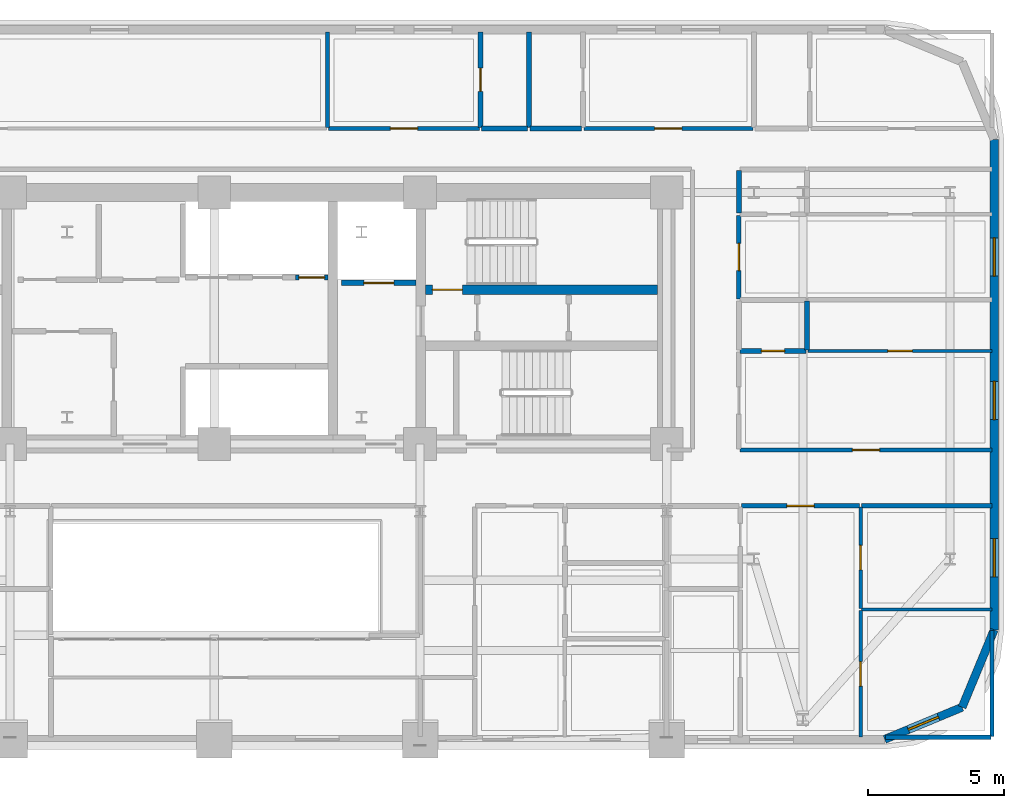
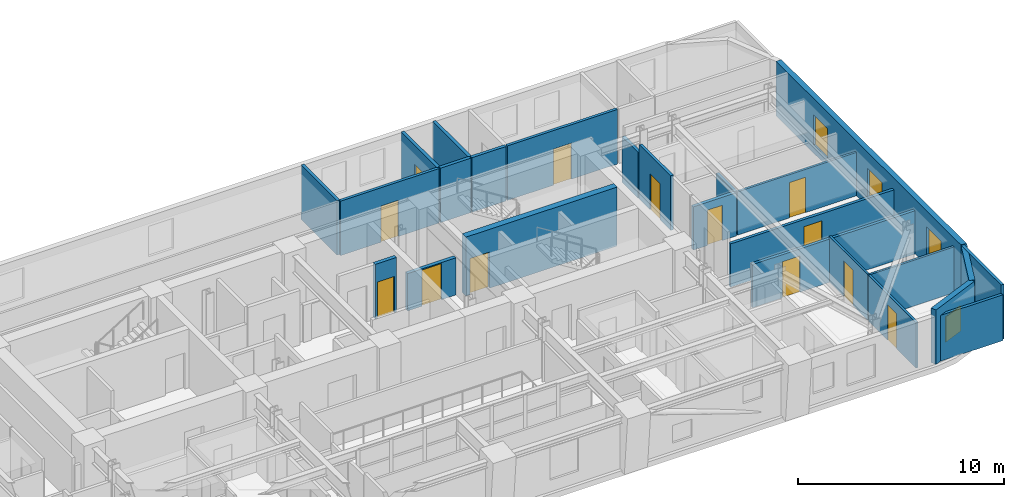
# One storey, part 12 of 16: 26 walls, 13 doors, 4 windows, 17 openings.
"""IFC4 building model written with IfcOpenShell, lengths in metres."""

from ifc_helpers import new_model, si_unit, direction, frame, frame_2d, origin, place, context, subcontext, project, spatial, rectangle, extrude, material, layer, layer_set, type_object, element, fill, save


model = new_model("IFC4")

# Units and contexts
model_context = context("Model", 3, precision=1e-05, world=origin(), true_north=direction((0.0, 1.0)))
body_context = subcontext(model_context, "Body", "Model", "MODEL_VIEW")
ifc_project = project(units=[si_unit("LENGTHUNIT", "METRE"), si_unit("AREAUNIT", "SQUARE_METRE"), si_unit("VOLUMEUNIT", "CUBIC_METRE"), si_unit("PLANEANGLEUNIT", "RADIAN"), si_unit("MASSUNIT", "GRAM", prefix="KILO")], contexts=[model_context])

# Site, building, storey
site_placement = place(None, origin())
site = spatial("IfcSite", under=ifc_project, at=site_placement, CompositionType="ELEMENT")
building_placement = place(site_placement, origin())
building = spatial("IfcBuilding", under=site, at=building_placement, Name="Zarnavel Station Tower", CompositionType="ELEMENT")
storey_placement = place(building_placement, frame((0.0, 0.0, 101.300048828125)))
storey = spatial("IfcBuildingStorey", under=building, at=storey_placement, Name="L27", CompositionType="ELEMENT", Elevation=101.300048828125)

# Wall, opening, door
ifc_material_1 = material(Name="Concrete C50/60", Category="concrete")
ifc_layer_1 = layer(ifc_material_1, 0.35009765625)
ifc_layer_set_1 = layer_set([ifc_layer_1], Name="CW_350")
wall_type_1 = type_object("IfcWallType", Name="CW_350", PredefinedType="SHEAR", material=ifc_layer_set_1)
wall_1_placement = place(storey_placement, frame((45.054931640625, 33.47998046875, 0.0), z_axis=(0.0, 0.0, 1.0), x_axis=(-1.0, 0.0, 0.0)))
wall_1 = element("IfcWall", 1, at=wall_1_placement, inside=storey, type_object=wall_type_1, Name="L27 Rear Core Shear Wall DIV-H2", PredefinedType="SHEAR", context=body_context, shape_type="SweptSolid", body=[
    extrude(rectangle(XDim=8.5, YDim=0.35009765625, at=frame_2d((4.25, 0.0))), origin(), (0.0, 0.0, 1.0), 3.5),
])
opening_1_placement = place(wall_1_placement, frame((7.155029296875, 0.0, 0.0)))
opening_1 = element("IfcOpeningElement", 2, at=opening_1_placement, cuts=wall_1, Name="Opening FD01", PredefinedType="OPENING", context=body_context, shape_type="SweptSolid", body=[
    extrude(rectangle(XDim=1.10009765625, YDim=2.14990234375, at=frame_2d((0.550048828125, 1.074951171875))), frame((0.0, 0.18505859375, 0.0), z_axis=(0.0, -1.0, 0.0), x_axis=(1.0, 0.0, 0.0)), (0.0, 0.0, 1.0), 0.3701171875),
])
ifc_material_2 = material(Name="Painted Galvanised Steel and Hardwood Leaf", Category="steel")
door_type_1 = type_object("IfcDoorType", Name="ID_STAIR_1100", OperationType="NOTDEFINED", PredefinedType="DOOR", material=ifc_material_2)
door_1_placement = place(opening_1_placement, origin())
door_1 = element("IfcDoor", 3, at=door_1_placement, inside=storey, type_object=door_type_1, Name="L27 Stair ST2 Lobby Fire Door", OperationType="SINGLE_SWING_RIGHT", OverallHeight=2.14990234375, OverallWidth=1.10009765625, PredefinedType="DOOR", context=body_context, shape_type="SweptSolid", body=[
    extrude(rectangle(XDim=1.10009765625, YDim=2.14990234375, at=frame_2d((0.550048828125, 1.074951171875))), frame((0.0, 0.02490234375, 0.0), z_axis=(0.0, -1.0, 0.0), x_axis=(1.0, 0.0, 0.0)), (0.0, 0.0, 1.0), 0.050048828125),
])
fill(opening_1, door_1)

# Wall, opening, window
ifc_material_3 = material(Name="Precast concrete C45/55 (Dark Basalt Finish)", Category="masonry")
ifc_layer_2 = layer(ifc_material_3, 0.300048828125)
ifc_layer_set_2 = layer_set([ifc_layer_2], Name="EW_BASALT_300")
wall_type_2 = type_object("IfcWallType", Name="EW_BASALT_300", PredefinedType="SOLIDWALL", material=ifc_layer_set_2)
wall_2_placement = place(storey_placement, frame((56.24267578125, 18.157470703125, 0.0), z_axis=(0.0, 0.0, 1.0), x_axis=(-0.923882414032, -0.382676475685, 0.0)))
wall_2 = element("IfcWall", 4, at=wall_2_placement, inside=storey, type_object=wall_type_2, Name="L27 Exterior Basalt Masonry Frame Wall 01", PredefinedType="SOLIDWALL", context=body_context, shape_type="SweptSolid", body=[
    extrude(rectangle(XDim=3.076904296875, YDim=0.300048828125, at=frame_2d((1.53857421875, 0.0))), origin(), (0.0, 0.0, 1.0), 3.239990234375),
])
opening_2_placement = place(wall_2_placement, frame((0.9384765625, 0.0, 0.75)))
opening_2 = element("IfcOpeningElement", 5, at=opening_2_placement, cuts=wall_2, Name="Opening WN08", PredefinedType="OPENING", context=body_context, shape_type="SweptSolid", body=[
    extrude(rectangle(XDim=1.199951171875, YDim=1.5, at=frame_2d((0.60009765625, 0.75))), frame((0.0, 0.159912109375, 0.0), z_axis=(0.0, -1.0, 0.0), x_axis=(1.0, 0.0, 0.0)), (0.0, 0.0, 1.0), 0.320068359375),
])
ifc_material_4 = material(Name="Thermally Broken Black Aluminium and Low-E Dark Glass", Category="aluminium")
window_type_1 = type_object("IfcWindowType", Name="WN_1200x1500", PartitioningType="SINGLE_PANEL", PredefinedType="WINDOW", material=ifc_material_4)
window_1_placement = place(opening_2_placement, origin())
window_1 = element("IfcWindow", 6, at=window_1_placement, inside=storey, type_object=window_type_1, Name="L27 Recessed Facade Window 01", OverallHeight=1.5, OverallWidth=1.199951171875, PartitioningType="SINGLE_PANEL", PredefinedType="WINDOW", context=body_context, shape_type="SweptSolid", body=[
    extrude(rectangle(XDim=1.199951171875, YDim=1.5, at=frame_2d((0.60009765625, 0.75))), frame((0.0, 0.030029296875, 0.0), z_axis=(0.0, -1.0, 0.0), x_axis=(1.0, 0.0, 0.0)), (0.0, 0.0, 1.0), 0.06005859375),
])
fill(opening_2, window_1)

# Wall
wall_3_placement = place(storey_placement, frame((57.419921875, 21.0, 0.0), z_axis=(0.0, 0.0, 1.0), x_axis=(-0.382636798336, -0.92389884758, 0.0)))
element("IfcWall", 7, at=wall_3_placement, inside=storey, type_object=wall_type_2, Name="L27 Exterior Basalt Masonry Frame Wall 02", PredefinedType="SOLIDWALL", context=body_context, shape_type="SweptSolid", body=[
    extrude(rectangle(XDim=3.07666015625, YDim=0.300048828125, at=frame_2d((1.538330078125, 0.0))), origin(), (0.0, 0.0, 1.0), 3.239990234375),
])

# Wall, openings, windows
wall_4_placement = place(storey_placement, frame((57.419921875, 39.0, 0.0), z_axis=(0.0, 0.0, 1.0), x_axis=(0.0, -1.0, 0.0)))
wall_4 = element("IfcWall", 8, at=wall_4_placement, inside=storey, type_object=wall_type_2, Name="L27 Exterior Basalt Masonry Frame Wall 03", PredefinedType="SOLIDWALL", context=body_context, shape_type="SweptSolid", body=[
    extrude(rectangle(XDim=18.0, YDim=0.300048828125, at=frame_2d((9.0, 0.0))), origin(), (0.0, 0.0, 1.0), 3.239990234375),
])
opening_3_placement = place(wall_4_placement, frame((8.882080078125, 0.0, 0.47998046875)))
opening_3 = element("IfcOpeningElement", 9, at=opening_3_placement, cuts=wall_4, Name="Opening WN01", PredefinedType="OPENING", context=body_context, shape_type="SweptSolid", body=[
    extrude(rectangle(XDim=1.39990234375, YDim=1.800048828125, at=frame_2d((0.699951171875, 0.89990234375))), frame((0.0, 0.159912109375, 0.0), z_axis=(0.0, -1.0, 0.0), x_axis=(1.0, 0.0, 0.0)), (0.0, 0.0, 1.0), 0.320068359375),
])
opening_4_placement = place(wall_4_placement, frame((3.62060546875, 0.0, 0.47998046875)))
opening_4 = element("IfcOpeningElement", 10, at=opening_4_placement, cuts=wall_4, Name="Opening WN01", PredefinedType="OPENING", context=body_context, shape_type="SweptSolid", body=[
    extrude(rectangle(XDim=1.39990234375, YDim=1.800048828125, at=frame_2d((0.699951171875, 0.89990234375))), frame((0.0, 0.159912109375, 0.0), z_axis=(0.0, -1.0, 0.0), x_axis=(1.0, 0.0, 0.0)), (0.0, 0.0, 1.0), 0.320068359375),
])
opening_5_placement = place(wall_4_placement, frame((14.654541015625, 0.0, 0.47998046875)))
opening_5 = element("IfcOpeningElement", 11, at=opening_5_placement, cuts=wall_4, Name="Opening WN01", PredefinedType="OPENING", context=body_context, shape_type="SweptSolid", body=[
    extrude(rectangle(XDim=1.39990234375, YDim=1.800048828125, at=frame_2d((0.699951171875, 0.89990234375))), frame((0.0, 0.159912109375, 0.0), z_axis=(0.0, -1.0, 0.0), x_axis=(1.0, 0.0, 0.0)), (0.0, 0.0, 1.0), 0.320068359375),
])
ifc_material_5 = material(Name="Thermally Broken Black Aluminium and Low-E Dark Glass", Category="aluminium")
window_type_2 = type_object("IfcWindowType", Name="WN_1400x1800", PartitioningType="DOUBLE_PANEL_VERTICAL", PredefinedType="WINDOW", material=ifc_material_5)
window_2_placement = place(opening_3_placement, origin())
window_2 = element("IfcWindow", 12, at=window_2_placement, inside=storey, type_object=window_type_2, Name="L27 Recessed Facade Window 01", OverallHeight=1.800048828125, OverallWidth=1.39990234375, PartitioningType="SINGLE_PANEL", PredefinedType="WINDOW", context=body_context, shape_type="SweptSolid", body=[
    extrude(rectangle(XDim=1.39990234375, YDim=1.800048828125, at=frame_2d((0.699951171875, 0.89990234375))), frame((0.0, 0.030029296875, 0.0), z_axis=(0.0, -1.0, 0.0), x_axis=(1.0, 0.0, 0.0)), (0.0, 0.0, 1.0), 0.06005859375),
])
fill(opening_3, window_2)
window_3_placement = place(opening_4_placement, origin())
window_3 = element("IfcWindow", 13, at=window_3_placement, inside=storey, type_object=window_type_2, Name="L27 Recessed Facade Window 02", OverallHeight=1.800048828125, OverallWidth=1.39990234375, PartitioningType="SINGLE_PANEL", PredefinedType="WINDOW", context=body_context, shape_type="SweptSolid", body=[
    extrude(rectangle(XDim=1.39990234375, YDim=1.800048828125, at=frame_2d((0.699951171875, 0.89990234375))), frame((0.0, 0.030029296875, 0.0), z_axis=(0.0, -1.0, 0.0), x_axis=(1.0, 0.0, 0.0)), (0.0, 0.0, 1.0), 0.06005859375),
])
fill(opening_4, window_3)
window_4_placement = place(opening_5_placement, origin())
window_4 = element("IfcWindow", 14, at=window_4_placement, inside=storey, type_object=window_type_2, Name="L27 Recessed Facade Window 03", OverallHeight=1.800048828125, OverallWidth=1.39990234375, PartitioningType="SINGLE_PANEL", PredefinedType="WINDOW", context=body_context, shape_type="SweptSolid", body=[
    extrude(rectangle(XDim=1.39990234375, YDim=1.800048828125, at=frame_2d((0.699951171875, 0.89990234375))), frame((0.0, 0.030029296875, 0.0), z_axis=(0.0, -1.0, 0.0), x_axis=(1.0, 0.0, 0.0)), (0.0, 0.0, 1.0), 0.06005859375),
])
fill(opening_5, window_4)

# Wall, opening, door
ifc_material_6 = material(Name="Gypsum Twin-Stud Acoustic Fire Partition", Category="concrete")
ifc_layer_3 = layer(ifc_material_6, 0.159912109375)
ifc_layer_set_3 = layer_set([ifc_layer_3], Name="PT_DEMISE_160")
wall_type_3 = type_object("IfcWallType", Name="PT_DEMISE_160", PredefinedType="PARTITIONING", material=ifc_layer_set_3)
wall_5_placement = place(storey_placement, frame((48.090087890625, 27.60009765625, 0.0), z_axis=(0.0, 0.0, 1.0), x_axis=(1.0, 0.0, 0.0)))
wall_5 = element("IfcWall", 15, at=wall_5_placement, inside=storey, type_object=wall_type_3, Name="L27 Partition COR-S-FNE1R", PredefinedType="PARTITIONING", context=body_context, shape_type="SweptSolid", body=[
    extrude(rectangle(XDim=9.25, YDim=0.159912109375, at=frame_2d((4.625, 0.0))), origin(), (0.0, 0.0, 1.0), 2.570068359375),
])
opening_6_placement = place(wall_5_placement, frame((4.125, 0.0, 0.0)))
opening_6 = element("IfcOpeningElement", 16, at=opening_6_placement, cuts=wall_5, Name="Opening FD02", PredefinedType="OPENING", context=body_context, shape_type="SweptSolid", body=[
    extrude(rectangle(XDim=1.0, YDim=2.14990234375, at=frame_2d((0.5, 1.074951171875))), frame((0.0, 0.08984375, 0.0), z_axis=(0.0, -1.0, 0.0), x_axis=(1.0, 0.0, 0.0)), (0.0, 0.0, 1.0), 0.179931640625),
])
ifc_material_7 = material(Name="Painted Galvanised Steel and Hardwood Leaf", Category="steel")
door_type_2 = type_object("IfcDoorType", Name="ID_ENTRY_1000", OperationType="NOTDEFINED", PredefinedType="DOOR", material=ifc_material_7)
door_2_placement = place(opening_6_placement, origin())
door_2 = element("IfcDoor", 17, at=door_2_placement, inside=storey, type_object=door_type_2, Name="L27 Door COR-S-FNE1R", OperationType="SINGLE_SWING_RIGHT", OverallHeight=2.14990234375, OverallWidth=1.0, PredefinedType="DOOR", context=body_context, shape_type="SweptSolid", body=[
    extrude(rectangle(XDim=1.0, YDim=2.14990234375, at=frame_2d((0.5, 1.074951171875))), frame((0.0, 0.02490234375, 0.0), z_axis=(0.0, -1.0, 0.0), x_axis=(1.0, 0.0, 0.0)), (0.0, 0.0, 1.0), 0.050048828125),
])
fill(opening_6, door_2)

wall_6_placement = place(storey_placement, frame((48.139892578125, 25.550048828125, 0.0), z_axis=(0.0, 0.0, 1.0), x_axis=(1.0, 0.0, 0.0)))
wall_6 = element("IfcWall", 18, at=wall_6_placement, inside=storey, type_object=wall_type_3, Name="L27 Partition COR-S-UE1BLV", PredefinedType="PARTITIONING", context=body_context, shape_type="SweptSolid", body=[
    extrude(rectangle(XDim=4.338134765625, YDim=0.159912109375, at=frame_2d((2.1689453125, 0.0))), origin(), (0.0, 0.0, 1.0), 2.570068359375),
])
opening_7_placement = place(wall_6_placement, frame((1.6689453125, 0.0, 0.0)))
opening_7 = element("IfcOpeningElement", 19, at=opening_7_placement, cuts=wall_6, Name="Opening FD02", PredefinedType="OPENING", context=body_context, shape_type="SweptSolid", body=[
    extrude(rectangle(XDim=1.0, YDim=2.14990234375, at=frame_2d((0.5, 1.074951171875))), frame((0.0, 0.08984375, 0.0), z_axis=(0.0, -1.0, 0.0), x_axis=(1.0, 0.0, 0.0)), (0.0, 0.0, 1.0), 0.179931640625),
])
door_3_placement = place(opening_7_placement, origin())
door_3 = element("IfcDoor", 20, at=door_3_placement, inside=storey, type_object=door_type_2, Name="L27 Door COR-S-UE1BLV", OperationType="SINGLE_SWING_RIGHT", OverallHeight=2.14990234375, OverallWidth=1.0, PredefinedType="DOOR", context=body_context, shape_type="SweptSolid", body=[
    extrude(rectangle(XDim=1.0, YDim=2.14990234375, at=frame_2d((0.5, 1.074951171875))), frame((0.0, 0.02490234375, 0.0), z_axis=(0.0, -1.0, 0.0), x_axis=(1.0, 0.0, 0.0)), (0.0, 0.0, 1.0), 0.050048828125),
])
fill(opening_7, door_3)

# Wall
wall_7_placement = place(storey_placement, frame((52.55810546875, 25.550048828125, 0.0), z_axis=(0.0, 0.0, 1.0), x_axis=(1.0, 0.0, 0.0)))
element("IfcWall", 21, at=wall_7_placement, inside=storey, type_object=wall_type_3, Name="L27 Partition COR-S-UE1BB2", PredefinedType="PARTITIONING", context=body_context, shape_type="SweptSolid", body=[
    extrude(rectangle(XDim=4.781982421875, YDim=0.159912109375, at=frame_2d((2.39111328125, 0.0))), origin(), (0.0, 0.0, 1.0), 2.570068359375),
])

# Wall, opening, door
wall_8_placement = place(storey_placement, frame((48.050048828125, 33.14892578125, 0.0), z_axis=(0.0, 0.0, 1.0), x_axis=(0.0, 1.0, 0.0)))
wall_8 = element("IfcWall", 22, at=wall_8_placement, inside=storey, type_object=wall_type_3, Name="L27 Partition COR-E-FNE2R", PredefinedType="PARTITIONING", context=body_context, shape_type="SweptSolid", body=[
    extrude(rectangle(XDim=3.06103515625, YDim=0.159912109375, at=frame_2d((1.530517578125, 0.0))), origin(), (0.0, 0.0, 1.0), 3.239990234375),
])
opening_8_placement = place(wall_8_placement, frame((1.030517578125, 0.0, 0.0)))
opening_8 = element("IfcOpeningElement", 23, at=opening_8_placement, cuts=wall_8, Name="Opening FD02", PredefinedType="OPENING", context=body_context, shape_type="SweptSolid", body=[
    extrude(rectangle(XDim=1.0, YDim=2.14990234375, at=frame_2d((0.5, 1.074951171875))), frame((0.0, 0.08984375, 0.0), z_axis=(0.0, -1.0, 0.0), x_axis=(1.0, 0.0, 0.0)), (0.0, 0.0, 1.0), 0.179931640625),
])
door_4_placement = place(opening_8_placement, origin())
door_4 = element("IfcDoor", 24, at=door_4_placement, inside=storey, type_object=door_type_2, Name="L27 Door COR-E-FNE2R", OperationType="SINGLE_SWING_RIGHT", OverallHeight=2.14990234375, OverallWidth=1.0, PredefinedType="DOOR", context=body_context, shape_type="SweptSolid", body=[
    extrude(rectangle(XDim=1.0, YDim=2.14990234375, at=frame_2d((0.5, 1.074951171875))), frame((0.0, 0.02490234375, 0.0), z_axis=(0.0, -1.0, 0.0), x_axis=(1.0, 0.0, 0.0)), (0.0, 0.0, 1.0), 0.050048828125),
])
fill(opening_8, door_4)

wall_9_placement = place(storey_placement, frame((32.989990234375, 39.39990234375, 0.0), z_axis=(0.0, 0.0, 1.0), x_axis=(1.0, 0.0, 0.0)))
wall_9 = element("IfcWall", 25, at=wall_9_placement, inside=storey, type_object=wall_type_3, Name="L27 Partition COR-N-HN1R", PredefinedType="PARTITIONING", context=body_context, shape_type="SweptSolid", body=[
    extrude(rectangle(XDim=5.537109375, YDim=0.159912109375, at=frame_2d((2.7685546875, 0.0))), origin(), (0.0, 0.0, 1.0), 3.239990234375),
])
opening_9_placement = place(wall_9_placement, frame((2.2685546875, 0.0, 0.0)))
opening_9 = element("IfcOpeningElement", 26, at=opening_9_placement, cuts=wall_9, Name="Opening FD02", PredefinedType="OPENING", context=body_context, shape_type="SweptSolid", body=[
    extrude(rectangle(XDim=1.0, YDim=2.14990234375, at=frame_2d((0.5, 1.074951171875))), frame((0.0, 0.08984375, 0.0), z_axis=(0.0, -1.0, 0.0), x_axis=(1.0, 0.0, 0.0)), (0.0, 0.0, 1.0), 0.179931640625),
])
door_5_placement = place(opening_9_placement, origin())
door_5 = element("IfcDoor", 27, at=door_5_placement, inside=storey, type_object=door_type_2, Name="L27 Door COR-N-HN1R", OperationType="SINGLE_SWING_LEFT", OverallHeight=2.14990234375, OverallWidth=1.0, PredefinedType="DOOR", context=body_context, shape_type="SweptSolid", body=[
    extrude(rectangle(XDim=1.0, YDim=2.14990234375, at=frame_2d((0.5, 1.074951171875))), frame((0.0, 0.02490234375, 0.0), z_axis=(0.0, -1.0, 0.0), x_axis=(1.0, 0.0, 0.0)), (0.0, 0.0, 1.0), 0.050048828125),
])
fill(opening_9, door_5)

wall_10_placement = place(storey_placement, frame((42.363037109375, 39.39990234375, 0.0), z_axis=(0.0, 0.0, 1.0), x_axis=(1.0, 0.0, 0.0)))
wall_10 = element("IfcWall", 28, at=wall_10_placement, inside=storey, type_object=wall_type_3, Name="L27 Partition COR-N-HN2R", PredefinedType="PARTITIONING", context=body_context, shape_type="SweptSolid", body=[
    extrude(rectangle(XDim=6.197021484375, YDim=0.159912109375, at=frame_2d((3.0986328125, 0.0))), origin(), (0.0, 0.0, 1.0), 3.239990234375),
])
opening_10_placement = place(wall_10_placement, frame((2.598388671875, 0.0, 0.0)))
opening_10 = element("IfcOpeningElement", 29, at=opening_10_placement, cuts=wall_10, Name="Opening FD02", PredefinedType="OPENING", context=body_context, shape_type="SweptSolid", body=[
    extrude(rectangle(XDim=1.0, YDim=2.14990234375, at=frame_2d((0.5, 1.074951171875))), frame((0.0, 0.08984375, 0.0), z_axis=(0.0, -1.0, 0.0), x_axis=(1.0, 0.0, 0.0)), (0.0, 0.0, 1.0), 0.179931640625),
])
door_6_placement = place(opening_10_placement, origin())
door_6 = element("IfcDoor", 30, at=door_6_placement, inside=storey, type_object=door_type_2, Name="L27 Door COR-N-HN2R", OperationType="SINGLE_SWING_RIGHT", OverallHeight=2.14990234375, OverallWidth=1.0, PredefinedType="DOOR", context=body_context, shape_type="SweptSolid", body=[
    extrude(rectangle(XDim=1.0, YDim=2.14990234375, at=frame_2d((0.5, 1.074951171875))), frame((0.0, 0.02490234375, 0.0), z_axis=(0.0, -1.0, 0.0), x_axis=(1.0, 0.0, 0.0)), (0.0, 0.0, 1.0), 0.050048828125),
])
fill(opening_10, door_6)

# Walls
wall_11_placement = place(storey_placement, frame((32.949951171875, 39.43994140625, 0.0), z_axis=(0.0, 0.0, 1.0), x_axis=(0.0, 1.0, 0.0)))
element("IfcWall", 31, at=wall_11_placement, inside=storey, type_object=wall_type_3, Name="L27 Partition NCLB-HN1R", PredefinedType="PARTITIONING", context=body_context, shape_type="SweptSolid", body=[
    extrude(rectangle(XDim=3.5, YDim=0.159912109375, at=frame_2d((1.75, 0.0))), origin(), (0.0, 0.0, 1.0), 3.239990234375),
])
wall_12_placement = place(storey_placement, frame((53.429931640625, 17.06005859375, 0.0), z_axis=(0.0, 0.0, 1.0), x_axis=(1.0, 0.0, 0.0)))
element("IfcWall", 32, at=wall_12_placement, inside=storey, type_object=wall_type_3, Name="L27 Enclosure Wall UE1BB1", PredefinedType="PARTITIONING", context=body_context, shape_type="SweptSolid", body=[
    extrude(rectangle(XDim=3.880126953125, YDim=0.159912109375, at=frame_2d((1.93994140625, 0.0))), origin(), (0.0, 0.0, 1.0), 2.719970703125),
])
wall_13_placement = place(storey_placement, frame((57.340087890625, 17.090087890625, 0.0), z_axis=(0.0, 0.0, 1.0), x_axis=(0.0, 1.0, 0.0)))
element("IfcWall", 33, at=wall_13_placement, inside=storey, type_object=wall_type_3, Name="L27 Enclosure Wall UE1BB1", PredefinedType="PARTITIONING", context=body_context, shape_type="SweptSolid", body=[
    extrude(rectangle(XDim=3.8798828125, YDim=0.159912109375, at=frame_2d((1.93994140625, 0.0))), origin(), (0.0, 0.0, 1.0), 3.239990234375),
])

# Wall, opening, door
ifc_material_8 = material(Name="Gypsum Metal-Stud Interior Partition", Category="concrete")
ifc_layer_4 = layer(ifc_material_8, 0.1201171875)
ifc_layer_set_4 = layer_set([ifc_layer_4], Name="PT_ROOM_120")
wall_type_4 = type_object("IfcWallType", Name="PT_ROOM_120", PredefinedType="PARTITIONING", material=ifc_layer_set_4)
wall_14_placement = place(storey_placement, frame((50.590087890625, 31.236083984375, 0.0), z_axis=(0.0, 0.0, 1.0), x_axis=(1.0, 0.0, 0.0)))
wall_14 = element("IfcWall", 34, at=wall_14_placement, inside=storey, type_object=wall_type_4, Name="L27 Partition FNE1R-FNE1S", PredefinedType="PARTITIONING", context=body_context, shape_type="SweptSolid", body=[
    extrude(rectangle(XDim=6.75, YDim=0.1201171875, at=frame_2d((3.375, 0.0))), origin(), (0.0, 0.0, 1.0), 2.570068359375),
])
opening_11_placement = place(wall_14_placement, frame((2.925048828125, 0.0, 0.0)))
opening_11 = element("IfcOpeningElement", 35, at=opening_11_placement, cuts=wall_14, Name="Opening ID01", PredefinedType="OPENING", context=body_context, shape_type="SweptSolid", body=[
    extrude(rectangle(XDim=0.89990234375, YDim=2.10009765625, at=frame_2d((0.449951171875, 1.050048828125))), frame((0.0, 0.070068359375, 0.0), z_axis=(0.0, -1.0, 0.0), x_axis=(1.0, 0.0, 0.0)), (0.0, 0.0, 1.0), 0.14013671875),
])
ifc_material_9 = material(Name="Painted Galvanised Steel and Hardwood Leaf", Category="steel")
door_type_3 = type_object("IfcDoorType", Name="ID_ROOM_900", OperationType="NOTDEFINED", PredefinedType="DOOR", material=ifc_material_9)
door_7_placement = place(opening_11_placement, origin())
door_7 = element("IfcDoor", 36, at=door_7_placement, inside=storey, type_object=door_type_3, Name="L27 Door FNE1R-FNE1S", OperationType="SINGLE_SWING_LEFT", OverallHeight=2.10009765625, OverallWidth=0.89990234375, PredefinedType="DOOR", context=body_context, shape_type="SweptSolid", body=[
    extrude(rectangle(XDim=0.89990234375, YDim=2.10009765625, at=frame_2d((0.449951171875, 1.050048828125))), frame((0.0, 0.02490234375, 0.0), z_axis=(0.0, -1.0, 0.0), x_axis=(1.0, 0.0, 0.0)), (0.0, 0.0, 1.0), 0.050048828125),
])
fill(opening_11, door_7)

wall_15_placement = place(storey_placement, frame((52.51806640625, 17.06005859375, 0.0), z_axis=(0.0, 0.0, 1.0), x_axis=(0.0, 1.0, 0.0)))
wall_15 = element("IfcWall", 37, at=wall_15_placement, inside=storey, type_object=wall_type_4, Name="L27 Partition UE1BLV-UE1BB1", PredefinedType="PARTITIONING", context=body_context, shape_type="SweptSolid", body=[
    extrude(rectangle(XDim=4.640869140625, YDim=0.1201171875, at=frame_2d((2.3203125, 0.0))), origin(), (0.0, 0.0, 1.0), 2.719970703125),
])
opening_12_placement = place(wall_15_placement, frame((1.87060546875, 0.0, 0.0)))
opening_12 = element("IfcOpeningElement", 38, at=opening_12_placement, cuts=wall_15, Name="Opening ID01", PredefinedType="OPENING", context=body_context, shape_type="SweptSolid", body=[
    extrude(rectangle(XDim=0.89990234375, YDim=2.10009765625, at=frame_2d((0.449951171875, 1.050048828125))), frame((0.0, 0.070068359375, 0.0), z_axis=(0.0, -1.0, 0.0), x_axis=(1.0, 0.0, 0.0)), (0.0, 0.0, 1.0), 0.14013671875),
])
door_8_placement = place(opening_12_placement, origin())
door_8 = element("IfcDoor", 39, at=door_8_placement, inside=storey, type_object=door_type_3, Name="L27 Door UE1BLV-UE1BB1", OperationType="SINGLE_SWING_RIGHT", OverallHeight=2.10009765625, OverallWidth=0.89990234375, PredefinedType="DOOR", context=body_context, shape_type="SweptSolid", body=[
    extrude(rectangle(XDim=0.89990234375, YDim=2.10009765625, at=frame_2d((0.449951171875, 1.050048828125))), frame((0.0, 0.02490234375, 0.0), z_axis=(0.0, -1.0, 0.0), x_axis=(1.0, 0.0, 0.0)), (0.0, 0.0, 1.0), 0.050048828125),
])
fill(opening_12, door_8)

wall_16_placement = place(storey_placement, frame((52.51806640625, 21.781005859375, 0.0), z_axis=(0.0, 0.0, 1.0), x_axis=(0.0, 1.0, 0.0)))
wall_16 = element("IfcWall", 40, at=wall_16_placement, inside=storey, type_object=wall_type_4, Name="L27 Partition UE1BLV-UE1BB2", PredefinedType="PARTITIONING", context=body_context, shape_type="SweptSolid", body=[
    extrude(rectangle(XDim=3.72900390625, YDim=0.1201171875, at=frame_2d((1.864501953125, 0.0))), origin(), (0.0, 0.0, 1.0), 2.719970703125),
])
opening_13_placement = place(wall_16_placement, frame((1.41455078125, 0.0, 0.0)))
opening_13 = element("IfcOpeningElement", 41, at=opening_13_placement, cuts=wall_16, Name="Opening ID01", PredefinedType="OPENING", context=body_context, shape_type="SweptSolid", body=[
    extrude(rectangle(XDim=0.89990234375, YDim=2.10009765625, at=frame_2d((0.449951171875, 1.050048828125))), frame((0.0, 0.070068359375, 0.0), z_axis=(0.0, -1.0, 0.0), x_axis=(1.0, 0.0, 0.0)), (0.0, 0.0, 1.0), 0.14013671875),
])
door_9_placement = place(opening_13_placement, origin())
door_9 = element("IfcDoor", 42, at=door_9_placement, inside=storey, type_object=door_type_3, Name="L27 Door UE1BLV-UE1BB2", OperationType="SINGLE_SWING_LEFT", OverallHeight=2.10009765625, OverallWidth=0.89990234375, PredefinedType="DOOR", context=body_context, shape_type="SweptSolid", body=[
    extrude(rectangle(XDim=0.89990234375, YDim=2.10009765625, at=frame_2d((0.449951171875, 1.050048828125))), frame((0.0, 0.02490234375, 0.0), z_axis=(0.0, -1.0, 0.0), x_axis=(1.0, 0.0, 0.0)), (0.0, 0.0, 1.0), 0.050048828125),
])
fill(opening_13, door_9)

# Wall
wall_17_placement = place(storey_placement, frame((52.55810546875, 21.740966796875, 0.0), z_axis=(0.0, 0.0, 1.0), x_axis=(1.0, 0.0, 0.0)))
element("IfcWall", 43, at=wall_17_placement, inside=storey, type_object=wall_type_4, Name="L27 Partition UE1BB1-UE1BB2", PredefinedType="PARTITIONING", context=body_context, shape_type="SweptSolid", body=[
    extrude(rectangle(XDim=4.781982421875, YDim=0.1201171875, at=frame_2d((2.39111328125, 0.0))), origin(), (0.0, 0.0, 1.0), 2.719970703125),
])

# Wall, opening, door
ifc_material_10 = material(Name="Precast concrete C45/55 (Fire Shaft Blockwork)", Category="masonry")
ifc_layer_5 = layer(ifc_material_10, 0.199951171875)
ifc_layer_set_5 = layer_set([ifc_layer_5], Name="PT_SHAFT_200")
wall_type_5 = type_object("IfcWallType", Name="PT_SHAFT_200", PredefinedType="PARTITIONING", material=ifc_layer_set_5)
wall_18_placement = place(storey_placement, frame((33.47509765625, 33.72998046875, 0.0), z_axis=(0.0, 0.0, 1.0), x_axis=(1.0, 0.0, 0.0)))
wall_18 = element("IfcWall", 44, at=wall_18_placement, inside=storey, type_object=wall_type_5, Name="L27 Lift FFL-02 Shaft Front Wall", PredefinedType="PARTITIONING", context=body_context, shape_type="SweptSolid", body=[
    extrude(rectangle(XDim=2.724853515625, YDim=0.199951171875, at=frame_2d((1.3623046875, 0.0))), origin(), (0.0, 0.0, 1.0), 2.2119140625),
])
opening_14_placement = place(wall_18_placement, frame((0.8125, 0.0, 0.0)))
opening_14 = element("IfcOpeningElement", 45, at=opening_14_placement, cuts=wall_18, Name="Opening LD01", PredefinedType="OPENING", context=body_context, shape_type="SweptSolid", body=[
    extrude(rectangle(XDim=1.10009765625, YDim=2.14990234375, at=frame_2d((0.550048828125, 1.074951171875))), frame((0.0, 0.10986328125, 0.0), z_axis=(0.0, -1.0, 0.0), x_axis=(1.0, 0.0, 0.0)), (0.0, 0.0, 1.0), 0.219970703125),
])
ifc_material_11 = material(Name="Painted Galvanised Steel and Hardwood Leaf", Category="steel")
door_type_4 = type_object("IfcDoorType", Name="LD_FF_1100", OperationType="DOUBLE_DOOR_SLIDING", PredefinedType="DOOR", material=ifc_material_11)
door_10_placement = place(opening_14_placement, origin())
door_10 = element("IfcDoor", 46, at=door_10_placement, inside=storey, type_object=door_type_4, Name="L27 Lift FFL-02 Sliding Landing Door", OperationType="DOUBLE_DOOR_SLIDING", OverallHeight=2.14990234375, OverallWidth=1.10009765625, PredefinedType="DOOR", context=body_context, shape_type="SweptSolid", body=[
    extrude(rectangle(XDim=1.10009765625, YDim=2.14990234375, at=frame_2d((0.550048828125, 1.074951171875))), frame((0.0, 0.02490234375, 0.0), z_axis=(0.0, -1.0, 0.0), x_axis=(1.0, 0.0, 0.0)), (0.0, 0.0, 1.0), 0.050048828125),
])
fill(opening_14, door_10)

wall_19_placement = place(storey_placement, frame((31.77490234375, 33.929931640625, 0.0), z_axis=(0.0, 0.0, 1.0), x_axis=(1.0, 0.0, 0.0)))
wall_19 = element("IfcWall", 47, at=wall_19_placement, inside=storey, type_object=wall_type_5, Name="L27 Lift PL-M3 Shaft Front Wall", PredefinedType="PARTITIONING", context=body_context, shape_type="SweptSolid", body=[
    extrude(rectangle(XDim=1.2001953125, YDim=0.199951171875, at=frame_2d((0.60009765625, 0.0))), origin(), (0.0, 0.0, 1.0), 3.239990234375),
])
opening_15_placement = place(wall_19_placement, frame((0.125, 0.0, 0.0)))
opening_15 = element("IfcOpeningElement", 48, at=opening_15_placement, cuts=wall_19, Name="Opening LD03", PredefinedType="OPENING", context=body_context, shape_type="SweptSolid", body=[
    extrude(rectangle(XDim=0.949951171875, YDim=2.14990234375, at=frame_2d((0.47509765625, 1.074951171875))), frame((0.0, 0.10986328125, 0.0), z_axis=(0.0, -1.0, 0.0), x_axis=(1.0, 0.0, 0.0)), (0.0, 0.0, 1.0), 0.219970703125),
])
ifc_material_12 = material(Name="Painted Galvanised Steel and Hardwood Leaf", Category="steel")
door_type_5 = type_object("IfcDoorType", Name="LD_PAX_0950", OperationType="DOUBLE_DOOR_SLIDING", PredefinedType="DOOR", material=ifc_material_12)
door_11_placement = place(opening_15_placement, origin())
door_11 = element("IfcDoor", 49, at=door_11_placement, inside=storey, type_object=door_type_5, Name="L27 Lift PL-M3 Sliding Landing Door", OperationType="DOUBLE_DOOR_SLIDING", OverallHeight=2.14990234375, OverallWidth=0.949951171875, PredefinedType="DOOR", context=body_context, shape_type="SweptSolid", body=[
    extrude(rectangle(XDim=0.949951171875, YDim=2.14990234375, at=frame_2d((0.47509765625, 1.074951171875))), frame((0.0, 0.02490234375, 0.0), z_axis=(0.0, -1.0, 0.0), x_axis=(1.0, 0.0, 0.0)), (0.0, 0.0, 1.0), 0.050048828125),
])
fill(opening_15, door_11)

# Walls
ifc_material_13 = material(Name="Moisture-Resistant Plumbing Chase Wall", Category="concrete")
ifc_layer_6 = layer(ifc_material_13, 0.179931640625)
ifc_layer_set_6 = layer_set([ifc_layer_6], Name="PW_PLUMB_180")
wall_type_6 = type_object("IfcWallType", Name="PW_PLUMB_180", PredefinedType="PLUMBINGWALL", material=ifc_layer_set_6)
wall_20_placement = place(storey_placement, frame((48.050048828125, 36.2900390625, 0.0), z_axis=(0.0, 0.0, 1.0), x_axis=(0.0, 1.0, 0.0)))
element("IfcWall", 50, at=wall_20_placement, inside=storey, type_object=wall_type_6, Name="L27 Partition COR-E-FNE2B", PredefinedType="PLUMBINGWALL", context=body_context, shape_type="SweptSolid", body=[
    extrude(rectangle(XDim=1.570068359375, YDim=0.179931640625, at=frame_2d((0.78515625, 0.0))), origin(), (0.0, 0.0, 1.0), 2.719970703125),
])
wall_21_placement = place(storey_placement, frame((38.60693359375, 39.39990234375, 0.0), z_axis=(0.0, 0.0, 1.0), x_axis=(1.0, 0.0, 0.0)))
element("IfcWall", 51, at=wall_21_placement, inside=storey, type_object=wall_type_6, Name="L27 Partition COR-N-HN1B", PredefinedType="PLUMBINGWALL", context=body_context, shape_type="SweptSolid", body=[
    extrude(rectangle(XDim=1.694091796875, YDim=0.179931640625, at=frame_2d((0.84716796875, 0.0))), origin(), (0.0, 0.0, 1.0), 3.239990234375),
])
wall_22_placement = place(storey_placement, frame((40.381103515625, 39.39990234375, 0.0), z_axis=(0.0, 0.0, 1.0), x_axis=(1.0, 0.0, 0.0)))
element("IfcWall", 52, at=wall_22_placement, inside=storey, type_object=wall_type_6, Name="L27 Partition COR-N-HN2B", PredefinedType="PLUMBINGWALL", context=body_context, shape_type="SweptSolid", body=[
    extrude(rectangle(XDim=1.90185546875, YDim=0.179931640625, at=frame_2d((0.950927734375, 0.0))), origin(), (0.0, 0.0, 1.0), 3.239990234375),
])

# Wall, opening, door
wall_23_placement = place(storey_placement, frame((48.090087890625, 31.236083984375, 0.0), z_axis=(0.0, 0.0, 1.0), x_axis=(1.0, 0.0, 0.0)))
wall_23 = element("IfcWall", 53, at=wall_23_placement, inside=storey, type_object=wall_type_6, Name="L27 Partition FNE1R-FNE1B", PredefinedType="PLUMBINGWALL", context=body_context, shape_type="SweptSolid", body=[
    extrude(rectangle(XDim=2.419921875, YDim=0.179931640625, at=frame_2d((1.2099609375, 0.0))), origin(), (0.0, 0.0, 1.0), 2.570068359375),
])
opening_16_placement = place(wall_23_placement, frame((0.784912109375, 0.0, 0.0)))
opening_16 = element("IfcOpeningElement", 54, at=opening_16_placement, cuts=wall_23, Name="Opening ID02", PredefinedType="OPENING", context=body_context, shape_type="SweptSolid", body=[
    extrude(rectangle(XDim=0.85009765625, YDim=2.10009765625, at=frame_2d((0.425048828125, 1.050048828125))), frame((0.0, 0.099853515625, 0.0), z_axis=(0.0, -1.0, 0.0), x_axis=(1.0, 0.0, 0.0)), (0.0, 0.0, 1.0), 0.199951171875),
])
ifc_material_14 = material(Name="Painted Galvanised Steel and Hardwood Leaf", Category="steel")
door_type_6 = type_object("IfcDoorType", Name="ID_BATH_850", OperationType="NOTDEFINED", PredefinedType="DOOR", material=ifc_material_14)
door_12_placement = place(opening_16_placement, origin())
door_12 = element("IfcDoor", 55, at=door_12_placement, inside=storey, type_object=door_type_6, Name="L27 Door FNE1R-FNE1B", OperationType="SINGLE_SWING_RIGHT", OverallHeight=2.10009765625, OverallWidth=0.85009765625, PredefinedType="DOOR", context=body_context, shape_type="SweptSolid", body=[
    extrude(rectangle(XDim=0.85009765625, YDim=2.10009765625, at=frame_2d((0.425048828125, 1.050048828125))), frame((0.0, 0.02490234375, 0.0), z_axis=(0.0, -1.0, 0.0), x_axis=(1.0, 0.0, 0.0)), (0.0, 0.0, 1.0), 0.050048828125),
])
fill(opening_16, door_12)

# Wall
wall_24_placement = place(storey_placement, frame((50.550048828125, 31.27587890625, 0.0), z_axis=(0.0, 0.0, 1.0), x_axis=(0.0, 1.0, 0.0)))
element("IfcWall", 56, at=wall_24_placement, inside=storey, type_object=wall_type_6, Name="L27 Partition FNE1B-FNE1S", PredefinedType="PLUMBINGWALL", context=body_context, shape_type="SweptSolid", body=[
    extrude(rectangle(XDim=1.793212890625, YDim=0.179931640625, at=frame_2d((0.896484375, 0.0))), origin(), (0.0, 0.0, 1.0), 2.570068359375),
])

# Wall, opening, door
wall_25_placement = place(storey_placement, frame((38.56689453125, 39.43994140625, 0.0), z_axis=(0.0, 0.0, 1.0), x_axis=(0.0, 1.0, 0.0)))
wall_25 = element("IfcWall", 57, at=wall_25_placement, inside=storey, type_object=wall_type_6, Name="L27 Partition HN1R-HN1B", PredefinedType="PLUMBINGWALL", context=body_context, shape_type="SweptSolid", body=[
    extrude(rectangle(XDim=3.5, YDim=0.179931640625, at=frame_2d((1.75, 0.0))), origin(), (0.0, 0.0, 1.0), 3.239990234375),
])
opening_17_placement = place(wall_25_placement, frame((1.324951171875, 0.0, 0.0)))
opening_17 = element("IfcOpeningElement", 58, at=opening_17_placement, cuts=wall_25, Name="Opening ID02", PredefinedType="OPENING", context=body_context, shape_type="SweptSolid", body=[
    extrude(rectangle(XDim=0.85009765625, YDim=2.10009765625, at=frame_2d((0.425048828125, 1.050048828125))), frame((0.0, 0.099853515625, 0.0), z_axis=(0.0, -1.0, 0.0), x_axis=(1.0, 0.0, 0.0)), (0.0, 0.0, 1.0), 0.199951171875),
])
door_13_placement = place(opening_17_placement, origin())
door_13 = element("IfcDoor", 59, at=door_13_placement, inside=storey, type_object=door_type_6, Name="L27 Door HN1R-HN1B", OperationType="SINGLE_SWING_RIGHT", OverallHeight=2.10009765625, OverallWidth=0.85009765625, PredefinedType="DOOR", context=body_context, shape_type="SweptSolid", body=[
    extrude(rectangle(XDim=0.85009765625, YDim=2.10009765625, at=frame_2d((0.425048828125, 1.050048828125))), frame((0.0, 0.02490234375, 0.0), z_axis=(0.0, -1.0, 0.0), x_axis=(1.0, 0.0, 0.0)), (0.0, 0.0, 1.0), 0.050048828125),
])
fill(opening_17, door_13)

# Wall
wall_26_placement = place(storey_placement, frame((40.341064453125, 39.43994140625, 0.0), z_axis=(0.0, 0.0, 1.0), x_axis=(0.0, 1.0, 0.0)))
element("IfcWall", 60, at=wall_26_placement, inside=storey, type_object=wall_type_6, Name="L27 Partition HN1B-HN2B", PredefinedType="PLUMBINGWALL", context=body_context, shape_type="SweptSolid", body=[
    extrude(rectangle(XDim=3.5, YDim=0.179931640625, at=frame_2d((1.75, 0.0))), origin(), (0.0, 0.0, 1.0), 3.239990234375),
])

save(model, "model.ifc")
